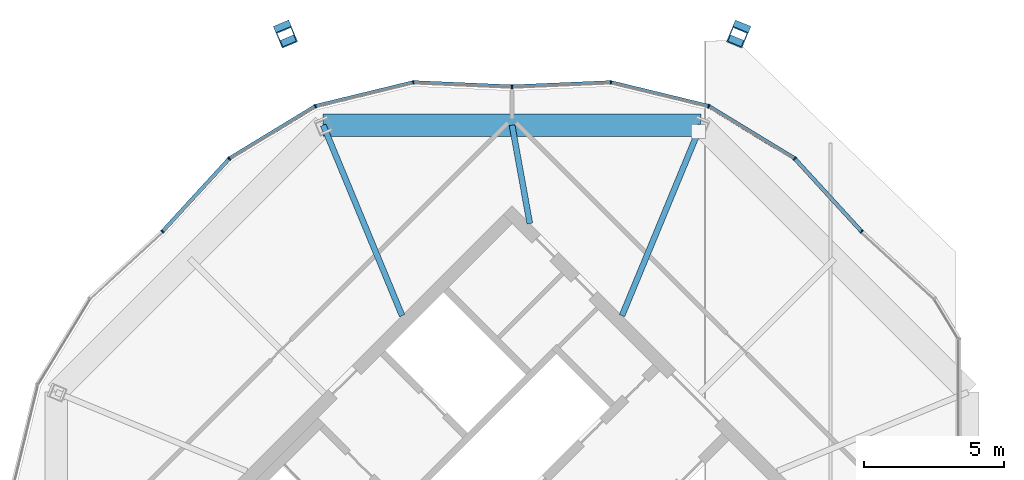
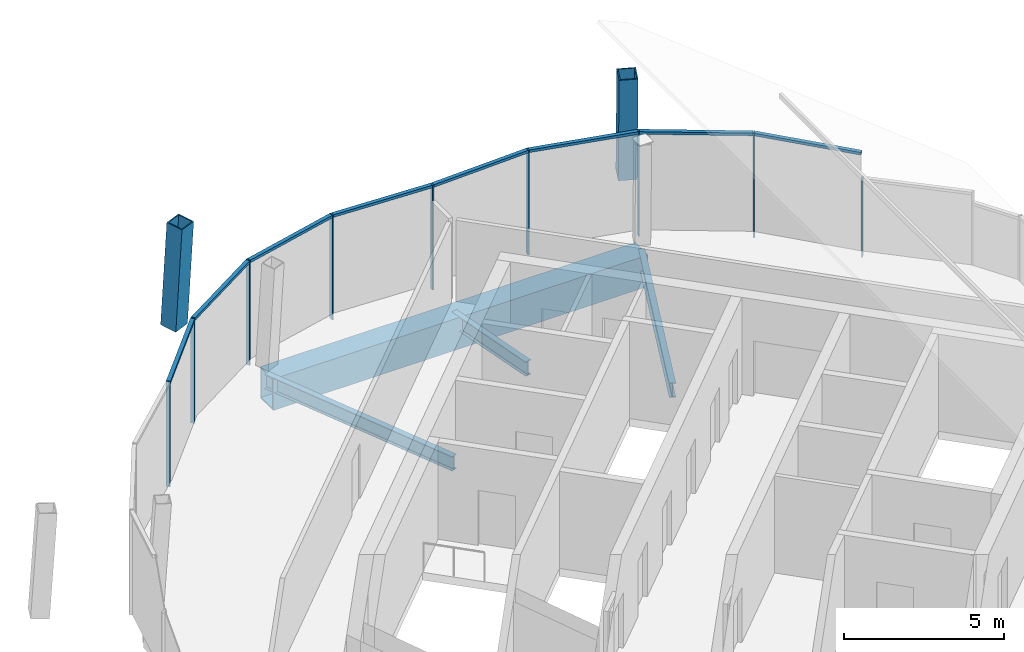
# One storey, part 16 of 23: 19 members, 4 beams, 3 elements without a shape of their own.
"""IFC4 building model written with IfcOpenShell, lengths in metres."""

from ifc_helpers import new_model, si_unit, direction, frame, origin, origin_2d, place, context, subcontext, project, spatial, rectangle, hollow_rectangle, i_section, extrude, material, material_profile, profile_set, type_object, element, aggregate, save


model = new_model("IFC4")

# Units and contexts
model_context = context("Model", 3, precision=1e-05, world=origin(), true_north=direction((0.0, 1.0)))
body_context = subcontext(model_context, "Body", "Model", "MODEL_VIEW")
ifc_project = project(units=[si_unit("LENGTHUNIT", "METRE"), si_unit("AREAUNIT", "SQUARE_METRE"), si_unit("VOLUMEUNIT", "CUBIC_METRE"), si_unit("PLANEANGLEUNIT", "RADIAN"), si_unit("MASSUNIT", "GRAM", prefix="KILO")], contexts=[model_context])

# Site, building, storey
site_placement = place(None, origin())
site = spatial("IfcSite", under=ifc_project, at=site_placement, CompositionType="ELEMENT")
building_placement = place(site_placement, origin())
building = spatial("IfcBuilding", under=site, at=building_placement, Name="Ogive Gate Towers", CompositionType="ELEMENT")
storey_placement = place(building_placement, frame((0.0, 0.0, 302.0)))
storey = spatial("IfcBuildingStorey", under=building, at=storey_placement, Name="L71", CompositionType="ELEMENT", Elevation=302.0)

# Curtain wall, member
ifc_material_1 = material(Name="Pale metal aluminium", Category="aluminium")
curtain_wall_type = type_object("IfcCurtainWallType", Name="Crown lean wall", PredefinedType="NOTDEFINED", material=ifc_material_1)
curtain_wall_1_placement = place(storey_placement, origin())
curtain_wall_1 = element("IfcCurtainWall", 1, at=curtain_wall_1_placement, inside=storey, type_object=curtain_wall_type, Name="CW5 T2 ECW01", PredefinedType="NOTDEFINED")
ifc_material_profile_1 = material_profile(ifc_material_1, rectangle(XDim=0.139892578125, YDim=0.050048828125, at=origin_2d()), Name="50 x 140 aluminium box")
ifc_profile_set_1 = profile_set([ifc_material_profile_1], Name="Pale metal aluminium")
member_type_1 = type_object("IfcMemberType", Name="Crown lean wall mullion 50 x 140", PredefinedType="MULLION", material=ifc_profile_set_1)
member_1_placement = place(storey_placement, frame((48.511474609375, 12.51318359375, -0.300048828125), z_axis=(0.0, 0.0, 1.0), x_axis=(-0.675796067943, -0.737088647689, 0.0)))
member_1 = element("IfcMember", 2, at=member_1_placement, type_object=member_type_1, Name="CW5 mullion", PredefinedType="MULLION", context=body_context, shape_type="SweptSolid", body=[
    extrude(rectangle(XDim=0.139892578125, YDim=0.050048828125, at=origin_2d()), origin(), (0.0, 0.0, 1.0), 3.025390625),
])
aggregate(curtain_wall_1, [member_1])

# Curtain wall, members
curtain_wall_2_placement = place(storey_placement, origin())
curtain_wall_2 = element("IfcCurtainWall", 3, at=curtain_wall_2_placement, inside=storey, type_object=curtain_wall_type, Name="CW5 T2 ECW02", PredefinedType="NOTDEFINED")
member_2_placement = place(storey_placement, frame((35.998779296875, 17.695068359375, -0.300048828125), z_axis=(0.0, 0.0, 1.0), x_axis=(0.043340398775, -0.999060363459, 0.0)))
member_2 = element("IfcMember", 4, at=member_2_placement, type_object=member_type_1, Name="CW5 mullion", PredefinedType="MULLION", context=body_context, shape_type="SweptSolid", body=[
    extrude(rectangle(XDim=0.139892578125, YDim=0.050048828125, at=origin_2d()), origin(), (0.0, 0.0, 1.0), 4.0),
])
member_3_placement = place(storey_placement, frame((39.537109375, 17.848388671875, -0.300048828125), z_axis=(0.0, 0.0, 1.0), x_axis=(-0.097513419542, -0.995234210128, 0.0)))
member_3 = element("IfcMember", 5, at=member_3_placement, type_object=member_type_1, Name="CW5 mullion", PredefinedType="MULLION", context=body_context, shape_type="SweptSolid", body=[
    extrude(rectangle(XDim=0.139892578125, YDim=0.050048828125, at=origin_2d()), origin(), (0.0, 0.0, 1.0), 4.0),
])
member_4_placement = place(storey_placement, frame((43.039794921875, 16.995849609375, -0.300048828125), z_axis=(0.0, 0.0, 1.0), x_axis=(-0.382683432365, -0.923879532511, 0.0)))
member_4 = element("IfcMember", 6, at=member_4_placement, type_object=member_type_1, Name="CW5 mullion", PredefinedType="MULLION", context=body_context, shape_type="SweptSolid", body=[
    extrude(rectangle(XDim=0.139892578125, YDim=0.050048828125, at=origin_2d()), origin(), (0.0, 0.0, 1.0), 4.0),
])
member_5_placement = place(storey_placement, frame((46.119384765625, 15.12158203125, -0.300048828125), z_axis=(0.0, 0.0, 1.0), x_axis=(-0.634784458636, -0.772689259065, 0.0)))
member_5 = element("IfcMember", 7, at=member_5_placement, type_object=member_type_1, Name="CW5 mullion", PredefinedType="MULLION", context=body_context, shape_type="SweptSolid", body=[
    extrude(rectangle(XDim=0.139892578125, YDim=0.050048828125, at=origin_2d()), origin(), (0.0, 0.0, 1.0), 4.0),
])

curtain_wall_3_placement = place(storey_placement, origin())
curtain_wall_3 = element("IfcCurtainWall", 8, at=curtain_wall_3_placement, inside=storey, type_object=curtain_wall_type, Name="CW5 T2 ECW03", PredefinedType="NOTDEFINED")
member_6_placement = place(storey_placement, frame((23.48681640625, 12.511474609375, -0.300048828125), z_axis=(0.0, 0.0, 1.0), x_axis=(0.737088647689, -0.675796067943, 0.0)))
member_6 = element("IfcMember", 9, at=member_6_placement, type_object=member_type_1, Name="CW5 mullion", PredefinedType="MULLION", context=body_context, shape_type="SweptSolid", body=[
    extrude(rectangle(XDim=0.139892578125, YDim=0.050048828125, at=origin_2d()), origin(), (0.0, 0.0, 1.0), 4.0),
])
member_7_placement = place(storey_placement, frame((25.880615234375, 15.12158203125, -0.300048828125), z_axis=(0.0, 0.0, 1.0), x_axis=(0.634784458636, -0.772689259065, 0.0)))
member_7 = element("IfcMember", 10, at=member_7_placement, type_object=member_type_1, Name="CW5 mullion", PredefinedType="MULLION", context=body_context, shape_type="SweptSolid", body=[
    extrude(rectangle(XDim=0.139892578125, YDim=0.050048828125, at=origin_2d()), origin(), (0.0, 0.0, 1.0), 4.0),
])
member_8_placement = place(storey_placement, frame((28.960205078125, 16.995849609375, -0.300048828125), z_axis=(0.0, 0.0, 1.0), x_axis=(0.382683432365, -0.923879532511, 0.0)))
member_8 = element("IfcMember", 11, at=member_8_placement, type_object=member_type_1, Name="CW5 mullion", PredefinedType="MULLION", context=body_context, shape_type="SweptSolid", body=[
    extrude(rectangle(XDim=0.139892578125, YDim=0.050048828125, at=origin_2d()), origin(), (0.0, 0.0, 1.0), 4.0),
])
member_9_placement = place(storey_placement, frame((32.462890625, 17.848388671875, -0.300048828125), z_axis=(0.0, 0.0, 1.0), x_axis=(0.097513419542, -0.995234210128, 0.0)))
member_9 = element("IfcMember", 12, at=member_9_placement, type_object=member_type_1, Name="CW5 mullion", PredefinedType="MULLION", context=body_context, shape_type="SweptSolid", body=[
    extrude(rectangle(XDim=0.139892578125, YDim=0.050048828125, at=origin_2d()), origin(), (0.0, 0.0, 1.0), 4.0),
])

# Member
ifc_material_profile_2 = material_profile(ifc_material_1, rectangle(XDim=0.139892578125, YDim=0.10009765625, at=origin_2d()), Name="100 x 140 aluminium box")
ifc_profile_set_2 = profile_set([ifc_material_profile_2], Name="Pale metal aluminium")
member_type_2 = type_object("IfcMemberType", Name="Crown lean wall transom 100 x 140", PredefinedType="USERDEFINED", material=ifc_profile_set_2)
member_10_placement = place(storey_placement, frame((36.023681640625, 17.6962890625, 3.64990234375), z_axis=(0.999060643989, 0.043333931654, 0.0), x_axis=(-0.043333931654, 0.999060643989, 0.0)))
member_10 = element("IfcMember", 13, at=member_10_placement, type_object=member_type_2, Name="CW5 transom", ObjectType="TRANSOM", PredefinedType="USERDEFINED", context=body_context, shape_type="SweptSolid", body=[
    extrude(rectangle(XDim=0.139892578125, YDim=0.10009765625, at=origin_2d()), origin(), (0.0, 0.0, 1.0), 3.4873046875),
])

member_11_placement = place(storey_placement, frame((39.565673828125, 17.841552734375, 3.64990234375), z_axis=(0.971665893782, -0.236358606487, 0.0), x_axis=(0.236358606487, 0.971665893782, 0.0)))
member_11 = element("IfcMember", 14, at=member_11_placement, type_object=member_type_2, Name="CW5 transom", ObjectType="TRANSOM", PredefinedType="USERDEFINED", context=body_context, shape_type="SweptSolid", body=[
    extrude(rectangle(XDim=0.139892578125, YDim=0.10009765625, at=origin_2d()), origin(), (0.0, 0.0, 1.0), 3.546142578125),
])

member_12_placement = place(storey_placement, frame((43.0654296875, 16.980712890625, 3.64990234375), z_axis=(0.854250400088, -0.51986176427, 0.0), x_axis=(0.51986176427, 0.854250400088, 0.0)))
member_12 = element("IfcMember", 15, at=member_12_placement, type_object=member_type_2, Name="CW5 transom", ObjectType="TRANSOM", PredefinedType="USERDEFINED", context=body_context, shape_type="SweptSolid", body=[
    extrude(rectangle(XDim=0.139892578125, YDim=0.10009765625, at=origin_2d()), origin(), (0.0, 0.0, 1.0), 3.546142578125),
])

member_13_placement = place(storey_placement, frame((46.139404296875, 15.100341796875, 3.64990234375), z_axis=(0.675816552763, -0.73706986576, 0.0), x_axis=(0.73706986576, 0.675816552763, 0.0)))
member_13 = element("IfcMember", 16, at=member_13_placement, type_object=member_type_2, Name="CW5 transom", ObjectType="TRANSOM", PredefinedType="USERDEFINED", context=body_context, shape_type="SweptSolid", body=[
    extrude(rectangle(XDim=0.139892578125, YDim=0.10009765625, at=origin_2d()), origin(), (0.0, 0.0, 1.0), 3.487548828125),
])

aggregate(curtain_wall_2, [member_2, member_3, member_10, member_4, member_11, member_5, member_12, member_13])

member_14_placement = place(storey_placement, frame((23.503662109375, 12.52978515625, 3.64990234375), z_axis=(0.675816552763, 0.73706986576, 0.0), x_axis=(-0.73706986576, 0.675816552763, 0.0)))
member_14 = element("IfcMember", 17, at=member_14_placement, type_object=member_type_2, Name="CW5 transom", ObjectType="TRANSOM", PredefinedType="USERDEFINED", context=body_context, shape_type="SweptSolid", body=[
    extrude(rectangle(XDim=0.139892578125, YDim=0.10009765625, at=origin_2d()), origin(), (0.0, 0.0, 1.0), 3.487548828125),
])

member_15_placement = place(storey_placement, frame((25.9052734375, 15.13720703125, 3.64990234375), z_axis=(0.854250400088, 0.51986176427, 0.0), x_axis=(-0.51986176427, 0.854250400088, 0.0)))
member_15 = element("IfcMember", 18, at=member_15_placement, type_object=member_type_2, Name="CW5 transom", ObjectType="TRANSOM", PredefinedType="USERDEFINED", context=body_context, shape_type="SweptSolid", body=[
    extrude(rectangle(XDim=0.139892578125, YDim=0.10009765625, at=origin_2d()), origin(), (0.0, 0.0, 1.0), 3.546142578125),
])

member_16_placement = place(storey_placement, frame((28.98876953125, 17.00341796875, 3.64990234375), z_axis=(0.971665893782, 0.236358606487, 0.0), x_axis=(-0.236358606487, 0.971665893782, 0.0)))
member_16 = element("IfcMember", 19, at=member_16_placement, type_object=member_type_2, Name="CW5 transom", ObjectType="TRANSOM", PredefinedType="USERDEFINED", context=body_context, shape_type="SweptSolid", body=[
    extrude(rectangle(XDim=0.139892578125, YDim=0.10009765625, at=origin_2d()), origin(), (0.0, 0.0, 1.0), 3.546142578125),
])

member_17_placement = place(storey_placement, frame((32.4921875, 17.847412109375, 3.64990234375), z_axis=(0.999060643989, -0.043333931654, 0.0), x_axis=(0.043333931654, 0.999060643989, 0.0)))
member_17 = element("IfcMember", 20, at=member_17_placement, type_object=member_type_2, Name="CW5 transom", ObjectType="TRANSOM", PredefinedType="USERDEFINED", context=body_context, shape_type="SweptSolid", body=[
    extrude(rectangle(XDim=0.139892578125, YDim=0.10009765625, at=origin_2d()), origin(), (0.0, 0.0, 1.0), 3.4873046875),
])

aggregate(curtain_wall_3, [member_6, member_7, member_14, member_8, member_15, member_9, member_16, member_17])

# Members
ifc_material_2 = material(Name="Steel SM460", Category="steel")
ifc_material_profile_3 = material_profile(ifc_material_2, hollow_rectangle(XDim=0.60009765625, YDim=0.60009765625, WallThickness=0.0400390625, at=origin_2d()), Name="BX 600x600x40")
ifc_profile_set_3 = profile_set([ifc_material_profile_3], Name="Steel SM460")
member_type_3 = type_object("IfcMemberType", Name="Crown rib BX 600x600x40", PredefinedType="MEMBER", material=ifc_profile_set_3)
for number, where, z_axis, x_axis, name in (
    (21, (44.1572265625, 19.693115234375, 0.0), (-0.02339375174, -0.056413057581, 0.998133407573), (0.923724896159, -0.383056544411, 0.0), "T2/L71/STR001"),
    (22, (27.8427734375, 19.693115234375, 0.0), (0.02339375174, -0.056413057581, 0.998133407573), (0.923724896159, 0.383056544411, 0.0), "T2/L71/STR002"),
):
    element("IfcMember", number, at=place(storey_placement, frame(where, z_axis=z_axis, x_axis=x_axis)), inside=storey, type_object=member_type_3, Name=name, PredefinedType="MEMBER", context=body_context, shape_type="SweptSolid", body=[
        extrude(hollow_rectangle(XDim=0.60009765625, YDim=0.60009765625, WallThickness=0.0400390625, at=origin_2d()), origin(), (0.0, 0.0, 1.0), 4.007568359375),
    ])

# Beams
ifc_material_profile_4 = material_profile(ifc_material_2, hollow_rectangle(XDim=0.800048828125, YDim=1.199951171875, WallThickness=0.050048828125, at=origin_2d()), Name="BX 1200x800x50")
ifc_profile_set_4 = profile_set([ifc_material_profile_4], Name="Steel SM460")
beam_type_1 = type_object("IfcBeamType", Name="Edge girder BX 1200x800x50", PredefinedType="BEAM", material=ifc_profile_set_4)
beam_1_placement = place(storey_placement, frame((42.760009765625, 16.3203125, -0.89990234375), z_axis=(-1.0, 0.0, 0.0), x_axis=(0.0, -1.0, 0.0)))
element("IfcBeam", 23, at=beam_1_placement, inside=storey, type_object=beam_type_1, Name="T2/L71/SBM022", PredefinedType="BEAM", context=body_context, shape_type="SweptSolid", body=[
    extrude(hollow_rectangle(XDim=0.800048828125, YDim=1.199951171875, WallThickness=0.050048828125, at=origin_2d()), origin(), (0.0, 0.0, 1.0), 13.52001953125),
])
ifc_material_3 = material(Name="Steel SM355", Category="steel")
ifc_material_profile_5 = material_profile(ifc_material_3, i_section(OverallWidth=0.2099609375, OverallDepth=0.550048828125, WebThickness=0.010986328125, FlangeThickness=0.01708984375, FilletRadius=0.02392578125, at=origin_2d()), Name="IPE 550")
ifc_profile_set_5 = profile_set([ifc_material_profile_5], Name="Steel SM355")
beam_type_2 = type_object("IfcBeamType", Name="Radial floor beam IPE 550", PredefinedType="BEAM", material=ifc_profile_set_5)
beam_2_placement = place(storey_placement, frame((39.93505859375, 9.5, -0.574951171875), z_axis=(0.38267016282, 0.923885028825, 0.0), x_axis=(-0.923885028825, 0.38267016282, 0.0)))
element("IfcBeam", 24, at=beam_2_placement, inside=storey, type_object=beam_type_2, Name="T2/L71/SBM011", PredefinedType="BEAM", context=body_context, shape_type="SweptSolid", body=[
    extrude(i_section(OverallWidth=0.2099609375, OverallDepth=0.550048828125, WebThickness=0.010986328125, FlangeThickness=0.01708984375, FilletRadius=0.02392578125, at=origin_2d()), origin(), (0.0, 0.0, 1.0), 7.38232421875),
])
beam_3_placement = place(storey_placement, frame((36.636474609375, 12.798583984375, -0.574951171875), z_axis=(-0.177846773412, 0.984058191972, 0.0), x_axis=(-0.984058191972, -0.177846773412, 0.0)))
element("IfcBeam", 25, at=beam_3_placement, inside=storey, type_object=beam_type_2, Name="T2/L71/SBM012", PredefinedType="BEAM", context=body_context, shape_type="SweptSolid", body=[
    extrude(i_section(OverallWidth=0.2099609375, OverallDepth=0.550048828125, WebThickness=0.010986328125, FlangeThickness=0.01708984375, FilletRadius=0.02392578125, at=origin_2d()), origin(), (0.0, 0.0, 1.0), 3.578857421875),
])
beam_4_placement = place(storey_placement, frame((32.06494140625, 9.5, -0.574951171875), z_axis=(-0.38267016282, 0.923885028825, 0.0), x_axis=(-0.923885028825, -0.38267016282, 0.0)))
element("IfcBeam", 26, at=beam_4_placement, inside=storey, type_object=beam_type_2, Name="T2/L71/SBM013", PredefinedType="BEAM", context=body_context, shape_type="SweptSolid", body=[
    extrude(i_section(OverallWidth=0.2099609375, OverallDepth=0.550048828125, WebThickness=0.010986328125, FlangeThickness=0.01708984375, FilletRadius=0.02392578125, at=origin_2d()), origin(), (0.0, 0.0, 1.0), 7.38232421875),
])

save(model, "model.ifc")
